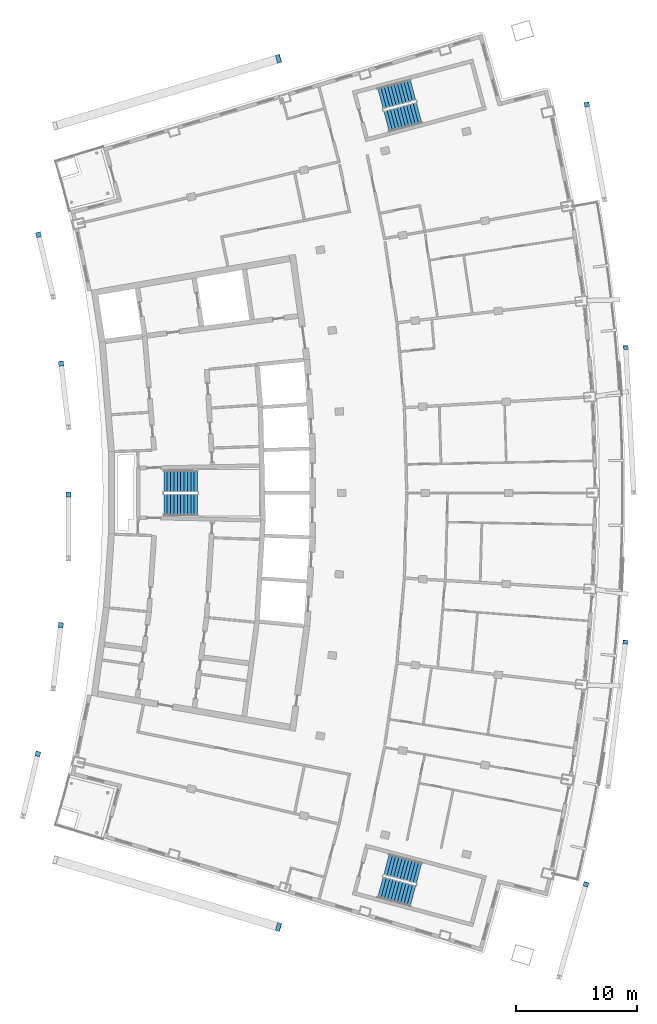
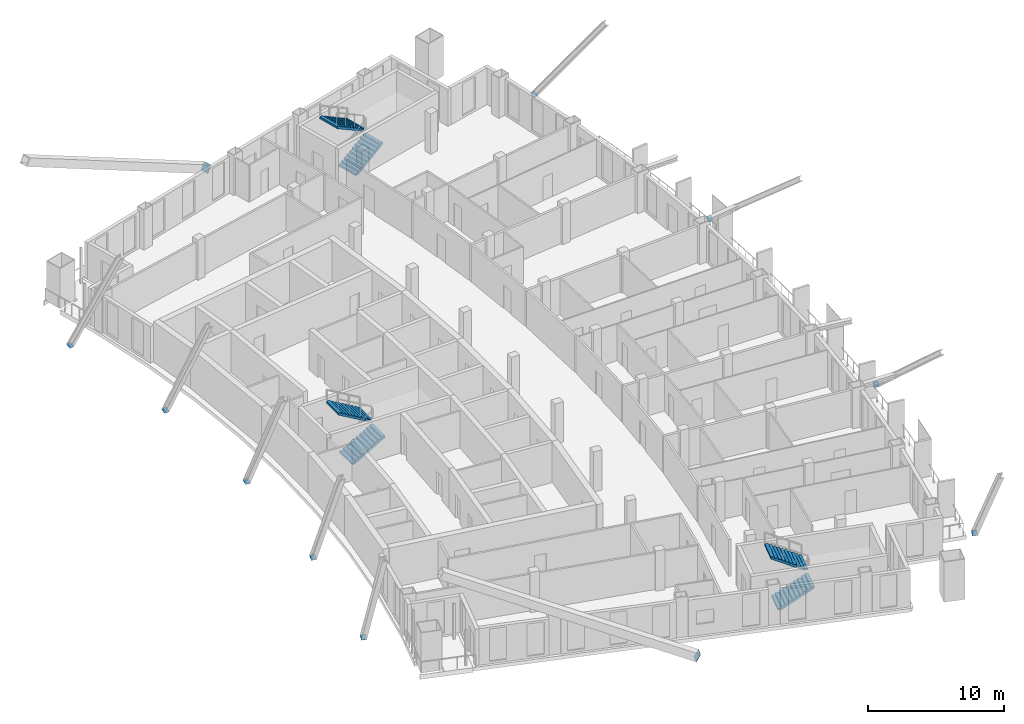
# One storey, part 14 of 17: 11 discrete accessories, 6 stair flights, 3 elements without a shape of their own.
"""IFC4 building model written with IfcOpenShell, lengths in metres."""

from ifc_helpers import new_model, si_unit, direction, frame, origin, origin_2d, place, context, subcontext, project, spatial, polyline, rectangle, outline, extrude, material, layer, layer_set, material_profile, profile_set, type_object, element, aggregate, save


model = new_model("IFC4")

# Units and contexts
model_context = context("Model", 3, precision=1e-05, world=origin(), true_north=direction((0.0, 1.0)))
body_context = subcontext(model_context, "Body", "Model", "MODEL_VIEW")
ifc_project = project(units=[si_unit("LENGTHUNIT", "METRE"), si_unit("AREAUNIT", "SQUARE_METRE"), si_unit("VOLUMEUNIT", "CUBIC_METRE"), si_unit("PLANEANGLEUNIT", "RADIAN"), si_unit("MASSUNIT", "GRAM", prefix="KILO")], contexts=[model_context])

# Site, building, storey
site_placement = place(None, origin())
site = spatial("IfcSite", under=ifc_project, at=site_placement, CompositionType="ELEMENT")
building_placement = place(site_placement, origin())
building = spatial("IfcBuilding", under=site, at=building_placement, Name="Alderwake Tower", CompositionType="ELEMENT")
storey_placement = place(building_placement, frame((0.0, 0.0, 256.39990234375)))
storey = spatial("IfcBuildingStorey", under=building, at=storey_placement, Name="L63", CompositionType="ELEMENT", Elevation=256.39990234375)

# Stair, stair flights
ifc_material_1 = material(Name="Concrete C40/50", Category="concrete")
stair_type = type_object("IfcStairType", Name="Core exit stair", PredefinedType="HALF_TURN_STAIR", material=ifc_material_1)
stair_1_placement = place(storey_placement, origin())
stair_1 = element("IfcStair", 1, at=stair_1_placement, inside=storey, type_object=stair_type, Name="L63 Exit Stair B", PredefinedType="HALF_TURN_STAIR")
ifc_material_2 = material(Name="Concrete C40/50", Category="concrete")
ifc_layer = layer(ifc_material_2, 0.14990234375)
ifc_layer_set = layer_set([ifc_layer], Name="Core stair flight")
stair_flight_type = type_object("IfcStairFlightType", Name="Core stair flight", PredefinedType="STRAIGHT", material=ifc_layer_set)
stair_flight_1_placement = place(storey_placement, frame((21.0400390625, 60.02490234375, 0.0), z_axis=(0.0, 0.0, 1.0), x_axis=(1.0, 0.0, 0.0)))
stair_flight_1 = element("IfcStairFlight", 2, at=stair_flight_1_placement, type_object=stair_flight_type, Name="ST-B flight 1", NumberOfRisers=11, NumberOfTreads=10, PredefinedType="STRAIGHT", RiserHeight=0.163636364, TreadLength=0.28, context=body_context, shape_type="SweptSolid", body=[
    extrude(outline(polyline([(0.0, 0.0), (0.0, 0.16357421875), (0.280029296875, 0.16357421875), (0.280029296875, 0.327392578125), (0.56005859375, 0.327392578125), (0.56005859375, 0.490966796875), (0.840087890625, 0.490966796875), (0.840087890625, 0.654541015625), (1.1201171875, 0.654541015625), (1.1201171875, 0.818115234375), (1.39990234375, 0.818115234375), (1.39990234375, 0.98193359375), (1.679931640625, 0.98193359375), (1.679931640625, 1.1455078125), (1.9599609375, 1.1455078125), (1.9599609375, 1.30908203125), (2.239990234375, 1.30908203125), (2.239990234375, 1.47265625), (2.52001953125, 1.47265625), (2.52001953125, 1.636474609375), (2.800048828125, 1.636474609375), (2.800048828125, 1.800048828125), (2.800048828125, 1.462646484375), (0.297119140625, 0.0), (0.0, 0.0)])), frame((0.0, 0.89990234375, 0.0), z_axis=(0.0, -1.0, 0.0), x_axis=(1.0, 0.0, 0.0)), (0.0, 0.0, 1.0), 1.800048828125),
])
stair_flight_2_placement = place(storey_placement, frame((23.840087890625, 61.97509765625, 1.800048828125), z_axis=(0.0, 0.0, 1.0), x_axis=(-1.0, 0.0, 0.0)))
stair_flight_2 = element("IfcStairFlight", 3, at=stair_flight_2_placement, type_object=stair_flight_type, Name="ST-B flight 2", NumberOfRisers=11, NumberOfTreads=10, PredefinedType="STRAIGHT", RiserHeight=0.163636364, TreadLength=0.28, context=body_context, shape_type="SweptSolid", body=[
    extrude(outline(polyline([(0.0, 0.0), (0.0, 0.16357421875), (0.280029296875, 0.16357421875), (0.280029296875, 0.327392578125), (0.56005859375, 0.327392578125), (0.56005859375, 0.490966796875), (0.840087890625, 0.490966796875), (0.840087890625, 0.654541015625), (1.1201171875, 0.654541015625), (1.1201171875, 0.818115234375), (1.39990234375, 0.818115234375), (1.39990234375, 0.98193359375), (1.679931640625, 0.98193359375), (1.679931640625, 1.1455078125), (1.9599609375, 1.1455078125), (1.9599609375, 1.30908203125), (2.239990234375, 1.30908203125), (2.239990234375, 1.47265625), (2.52001953125, 1.47265625), (2.52001953125, 1.636474609375), (2.800048828125, 1.636474609375), (2.800048828125, 1.800048828125), (2.800048828125, 1.462646484375), (0.297119140625, 0.0), (0.0, 0.0)])), frame((0.0, 0.89990234375, 0.0), z_axis=(0.0, -1.0, 0.0), x_axis=(1.0, 0.0, 0.0)), (0.0, 0.0, 1.0), 1.800048828125),
])
aggregate(stair_1, [stair_flight_1, stair_flight_2])

stair_2_placement = place(storey_placement, origin())
stair_2 = element("IfcStair", 4, at=stair_2_placement, inside=storey, type_object=stair_type, Name="L63 Exit Stair A", PredefinedType="HALF_TURN_STAIR")
stair_flight_3_placement = place(storey_placement, frame((39.512939453125, 91.823974609375, 0.0), z_axis=(0.0, 0.0, 1.0), x_axis=(0.966309627437, 0.257382407951, 0.0)))
stair_flight_3 = element("IfcStairFlight", 5, at=stair_flight_3_placement, type_object=stair_flight_type, Name="ST-A flight 1", NumberOfRisers=11, NumberOfTreads=10, PredefinedType="STRAIGHT", RiserHeight=0.163636364, TreadLength=0.28, context=body_context, shape_type="SweptSolid", body=[
    extrude(outline(polyline([(0.0, 0.0), (0.0, 0.16357421875), (0.280029296875, 0.16357421875), (0.280029296875, 0.327392578125), (0.56005859375, 0.327392578125), (0.56005859375, 0.490966796875), (0.840087890625, 0.490966796875), (0.840087890625, 0.654541015625), (1.1201171875, 0.654541015625), (1.1201171875, 0.818115234375), (1.39990234375, 0.818115234375), (1.39990234375, 0.98193359375), (1.679931640625, 0.98193359375), (1.679931640625, 1.1455078125), (1.9599609375, 1.1455078125), (1.9599609375, 1.30908203125), (2.239990234375, 1.30908203125), (2.239990234375, 1.47265625), (2.52001953125, 1.47265625), (2.52001953125, 1.636474609375), (2.800048828125, 1.636474609375), (2.800048828125, 1.800048828125), (2.800048828125, 1.462646484375), (0.297119140625, 0.0), (0.0, 0.0)])), frame((0.0, 0.89990234375, 0.0), z_axis=(0.0, -1.0, 0.0), x_axis=(1.0, 0.0, 0.0)), (0.0, 0.0, 1.0), 1.800048828125),
])
stair_flight_4_placement = place(storey_placement, frame((41.716796875, 94.428955078125, 1.800048828125), z_axis=(0.0, 0.0, 1.0), x_axis=(-0.966309627437, -0.257382407951, 0.0)))
stair_flight_4 = element("IfcStairFlight", 6, at=stair_flight_4_placement, type_object=stair_flight_type, Name="ST-A flight 2", NumberOfRisers=11, NumberOfTreads=10, PredefinedType="STRAIGHT", RiserHeight=0.163636364, TreadLength=0.28, context=body_context, shape_type="SweptSolid", body=[
    extrude(outline(polyline([(0.0, 0.0), (0.0, 0.16357421875), (0.280029296875, 0.16357421875), (0.280029296875, 0.327392578125), (0.56005859375, 0.327392578125), (0.56005859375, 0.490966796875), (0.840087890625, 0.490966796875), (0.840087890625, 0.654541015625), (1.1201171875, 0.654541015625), (1.1201171875, 0.818115234375), (1.39990234375, 0.818115234375), (1.39990234375, 0.98193359375), (1.679931640625, 0.98193359375), (1.679931640625, 1.1455078125), (1.9599609375, 1.1455078125), (1.9599609375, 1.30908203125), (2.239990234375, 1.30908203125), (2.239990234375, 1.47265625), (2.52001953125, 1.47265625), (2.52001953125, 1.636474609375), (2.800048828125, 1.636474609375), (2.800048828125, 1.800048828125), (2.800048828125, 1.462646484375), (0.297119140625, 0.0), (0.0, 0.0)])), frame((0.0, 0.89990234375, 0.0), z_axis=(0.0, -1.0, 0.0), x_axis=(1.0, 0.0, 0.0)), (0.0, 0.0, 1.0), 1.800048828125),
])
aggregate(stair_2, [stair_flight_3, stair_flight_4])

stair_3_placement = place(storey_placement, origin())
stair_3 = element("IfcStair", 7, at=stair_3_placement, inside=storey, type_object=stair_type, Name="L63 Exit Stair C", PredefinedType="HALF_TURN_STAIR")
stair_flight_5_placement = place(storey_placement, frame((39.010986328125, 28.291748046875, 0.0), z_axis=(0.0, 0.0, 1.0), x_axis=(0.966309627437, -0.257382407951, 0.0)))
stair_flight_5 = element("IfcStairFlight", 8, at=stair_flight_5_placement, type_object=stair_flight_type, Name="ST-C flight 1", NumberOfRisers=11, NumberOfTreads=10, PredefinedType="STRAIGHT", RiserHeight=0.163636364, TreadLength=0.28, context=body_context, shape_type="SweptSolid", body=[
    extrude(outline(polyline([(0.0, 0.0), (0.0, 0.16357421875), (0.280029296875, 0.16357421875), (0.280029296875, 0.327392578125), (0.56005859375, 0.327392578125), (0.56005859375, 0.490966796875), (0.840087890625, 0.490966796875), (0.840087890625, 0.654541015625), (1.1201171875, 0.654541015625), (1.1201171875, 0.818115234375), (1.39990234375, 0.818115234375), (1.39990234375, 0.98193359375), (1.679931640625, 0.98193359375), (1.679931640625, 1.1455078125), (1.9599609375, 1.1455078125), (1.9599609375, 1.30908203125), (2.239990234375, 1.30908203125), (2.239990234375, 1.47265625), (2.52001953125, 1.47265625), (2.52001953125, 1.636474609375), (2.800048828125, 1.636474609375), (2.800048828125, 1.800048828125), (2.800048828125, 1.462646484375), (0.297119140625, 0.0), (0.0, 0.0)])), frame((0.0, 0.89990234375, 0.0), z_axis=(0.0, -1.0, 0.0), x_axis=(1.0, 0.0, 0.0)), (0.0, 0.0, 1.0), 1.800048828125),
])
stair_flight_6_placement = place(storey_placement, frame((42.218505859375, 29.455322265625, 1.800048828125), z_axis=(0.0, 0.0, 1.0), x_axis=(-0.966309627437, 0.257382407951, 0.0)))
stair_flight_6 = element("IfcStairFlight", 9, at=stair_flight_6_placement, type_object=stair_flight_type, Name="ST-C flight 2", NumberOfRisers=11, NumberOfTreads=10, PredefinedType="STRAIGHT", RiserHeight=0.163636364, TreadLength=0.28, context=body_context, shape_type="SweptSolid", body=[
    extrude(outline(polyline([(0.0, 0.0), (0.0, 0.16357421875), (0.280029296875, 0.16357421875), (0.280029296875, 0.327392578125), (0.56005859375, 0.327392578125), (0.56005859375, 0.490966796875), (0.840087890625, 0.490966796875), (0.840087890625, 0.654541015625), (1.1201171875, 0.654541015625), (1.1201171875, 0.818115234375), (1.39990234375, 0.818115234375), (1.39990234375, 0.98193359375), (1.679931640625, 0.98193359375), (1.679931640625, 1.1455078125), (1.9599609375, 1.1455078125), (1.9599609375, 1.30908203125), (2.239990234375, 1.30908203125), (2.239990234375, 1.47265625), (2.52001953125, 1.47265625), (2.52001953125, 1.636474609375), (2.800048828125, 1.636474609375), (2.800048828125, 1.800048828125), (2.800048828125, 1.462646484375), (0.297119140625, 0.0), (0.0, 0.0)])), frame((0.0, 0.89990234375, 0.0), z_axis=(0.0, -1.0, 0.0), x_axis=(1.0, 0.0, 0.0)), (0.0, 0.0, 1.0), 1.800048828125),
])
aggregate(stair_3, [stair_flight_5, stair_flight_6])

# Discrete accessories
ifc_material_3 = material(Name="Steel ASTM A572 Grade 50", Category="steel")
ifc_material_profile_1 = material_profile(ifc_material_3, rectangle(XDim=0.699951171875, YDim=0.699951171875, at=origin_2d()), Name="BOX 700X700X45 cap")
ifc_profile_set_1 = profile_set([ifc_material_profile_1], Name="Steel ASTM A572 Grade 50")
discrete_accessory_type_1 = type_object("IfcDiscreteAccessoryType", Name="End cap plate BOX 700X700X45", PredefinedType="USERDEFINED", material=ifc_profile_set_1)
for number, where, z_axis, x_axis, name in (
    (10, (30.547607421875, 24.9912109375, 0.307861328125), (0.841946573895, -0.250964844142, -0.477642767883), (0.285656661543, 0.958332025822, 0.0), "End cap BRS5.1.0B2 X"),
    (11, (30.547607421875, 97.0087890625, 0.307861328125), (0.841946573895, 0.250964844142, -0.477642767883), (-0.285656661543, 0.958332025822, 0.0), "End cap BRN5.1.0B2 X"),
):
    element("IfcDiscreteAccessory", number, at=place(storey_placement, frame(where, z_axis=z_axis, x_axis=x_axis)), inside=storey, type_object=discrete_accessory_type_1, Name=name, ObjectType="END CAP", PredefinedType="USERDEFINED", context=body_context, shape_type="SweptSolid", body=[
        extrude(rectangle(XDim=0.699951171875, YDim=0.699951171875, at=origin_2d()), origin(), (0.0, 0.0, 1.0), 0.0302734375),
    ])
ifc_material_4 = material(Name="Steel ASTM A572 Grade 50", Category="steel")
ifc_material_profile_2 = material_profile(ifc_material_4, rectangle(XDim=0.41552734375, YDim=0.445556640625, at=origin_2d()), Name="W14X342 cap")
ifc_profile_set_2 = profile_set([ifc_material_profile_2], Name="Steel ASTM A572 Grade 50")
discrete_accessory_type_2 = type_object("IfcDiscreteAccessoryType", Name="End cap plate W14X342", PredefinedType="USERDEFINED", material=ifc_profile_set_2)
discrete_accessory_1_placement = place(storey_placement, frame((56.063232421875, 28.5166015625, 0.21923828125), z_axis=(0.170974854588, 0.578057841703, -0.797882654746), x_axis=(-0.958934255811, 0.28362844186, 0.0)))
element("IfcDiscreteAccessory", 12, at=discrete_accessory_1_placement, inside=storey, type_object=discrete_accessory_type_2, Name="End cap BRF5.1.2B2 X", ObjectType="END CAP", PredefinedType="USERDEFINED", context=body_context, shape_type="SweptSolid", body=[
    extrude(rectangle(XDim=0.41552734375, YDim=0.445556640625, at=origin_2d()), origin(), (0.0, 0.0, 1.0), 0.030029296875),
])
discrete_accessory_2_placement = place(storey_placement, frame((59.3310546875, 48.60546875, 0.181640625), z_axis=(0.089925600621, 0.743929968771, -0.662179422753), x_axis=(-0.99277322032, 0.120005554105, 0.0)))
element("IfcDiscreteAccessory", 13, at=discrete_accessory_2_placement, inside=storey, type_object=discrete_accessory_type_2, Name="End cap BRF5.1.4B2 X", ObjectType="END CAP", PredefinedType="USERDEFINED", context=body_context, shape_type="SweptSolid", body=[
    extrude(rectangle(XDim=0.41552734375, YDim=0.445556640625, at=origin_2d()), origin(), (0.0, 0.0, 1.0), 0.02978515625),
])
for number, where, z_axis, x_axis, name in (
    (14, (59.361083984375, 73.053466796875, 0.181640625), (-0.040756957297, 0.749928014264, -0.660262708211), (-0.998526420466, -0.054267740243, 0.0), "End cap BRF5.1.7B2 X"),
    (15, (56.129150390625, 93.206298828125, 0.21923828125), (-0.113821138211, 0.593495934959, -0.79674796748), (-0.982102279235, -0.188348382319, 0.0), "End cap BRF5.1.10B2 X"),
    (16, (10.588134765625, 39.34130859375, 0.250244140625), (0.105869651339, 0.43162242469, -0.895820126716), (-0.971210844098, 0.238221527798, 0.0), "End cap BRR5.1.2B2 X"),
    (17, (12.493408203125, 50.033203125, 0.250244140625), (0.057031326367, 0.43995594626, -0.896206557197), (-0.991702506662, 0.128554028641, 0.0), "End cap BRR5.1.4B2 X"),
    (18, (13.141357421875, 60.8740234375, 0.250244140625), (0.0, 0.4472135955, -0.894427191), (-1.0, 0.0, 0.0), "End cap BRR5.1.6B2 X"),
    (19, (12.522705078125, 71.716796875, 0.250244140625), (-0.048728980643, 0.446682322562, -0.893364645123), (-0.994102176608, -0.108447510175, 0.0), "End cap BRR5.1.8B2 X"),
    (20, (10.646484375, 82.413818359375, 0.250244140625), (-0.105495990526, 0.438214114494, -0.892658381376), (-0.972223637158, -0.234053838575, 0.0), "End cap BRR5.1.10B2 X"),
):
    element("IfcDiscreteAccessory", number, at=place(storey_placement, frame(where, z_axis=z_axis, x_axis=x_axis)), inside=storey, type_object=discrete_accessory_type_2, Name=name, ObjectType="END CAP", PredefinedType="USERDEFINED", context=body_context, shape_type="SweptSolid", body=[
        extrude(rectangle(XDim=0.41552734375, YDim=0.445556640625, at=origin_2d()), origin(), (0.0, 0.0, 1.0), 0.030029296875),
    ])

save(model, "model.ifc")
